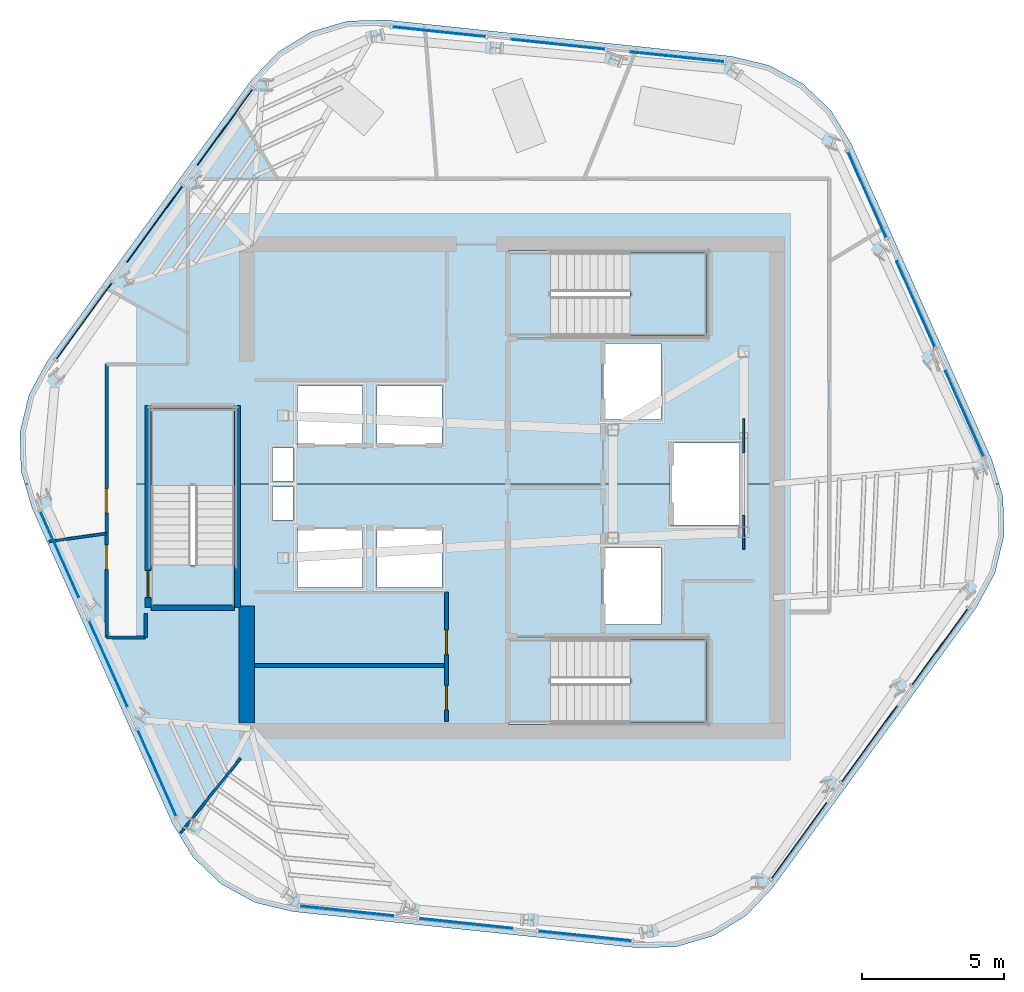
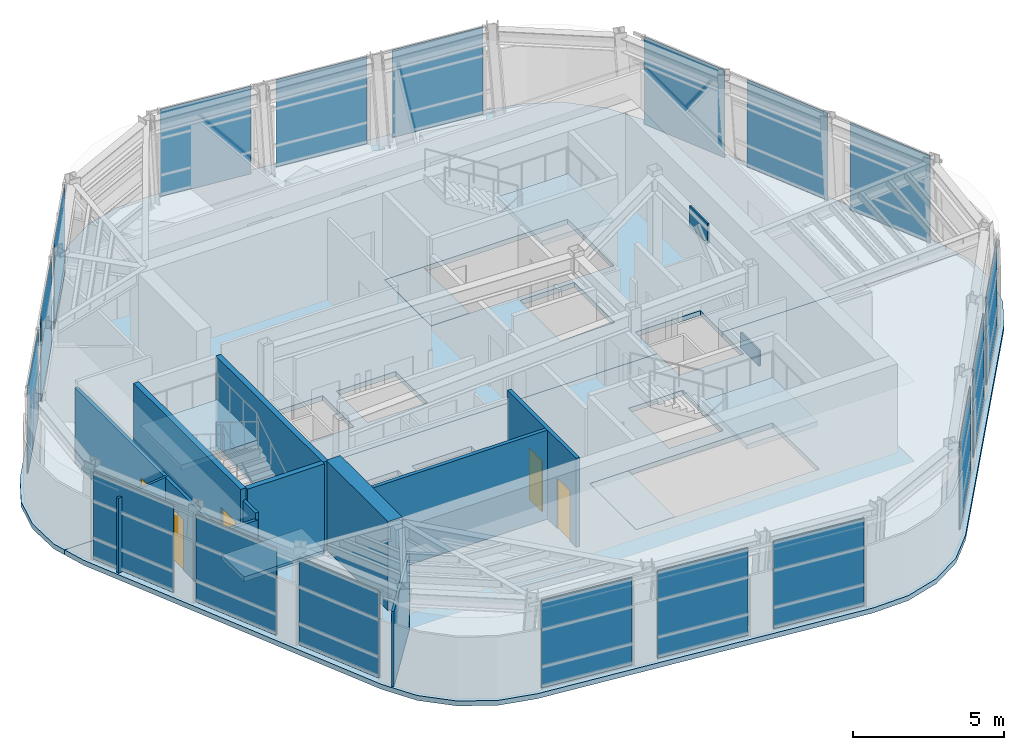
# One storey, part 5 of 12: 20 plates, 11 walls, 8 slabs, 5 doors, 5 openings, 9 elements without a shape of their own.
"""IFC4 building model written with IfcOpenShell, lengths in metres."""

from ifc_helpers import new_model, si_unit, direction, frame, frame_2d, origin, origin_2d, place, context, subcontext, project, spatial, polyline, rectangle, outline, extrude, material, layer, layer_set, type_object, element, fill, aggregate, save


model = new_model("IFC4")

# Units and contexts
model_context = context("Model", 3, precision=1e-05, world=origin(), true_north=direction((0.0, 1.0)))
body_context = subcontext(model_context, "Body", "Model", "MODEL_VIEW")
ifc_project = project(units=[si_unit("LENGTHUNIT", "METRE"), si_unit("AREAUNIT", "SQUARE_METRE"), si_unit("VOLUMEUNIT", "CUBIC_METRE"), si_unit("PLANEANGLEUNIT", "RADIAN"), si_unit("MASSUNIT", "GRAM", prefix="KILO")], contexts=[model_context])

# Site, building, storey
site_placement = place(None, origin())
site = spatial("IfcSite", under=ifc_project, at=site_placement, CompositionType="ELEMENT")
building_placement = place(site_placement, origin())
building = spatial("IfcBuilding", under=site, at=building_placement, Name="Valkerne Bourse Tower", CompositionType="ELEMENT")
storey_placement = place(building_placement, frame((0.0, 0.0, 258.39990234375)))
storey = spatial("IfcBuildingStorey", under=building, at=storey_placement, Name="L65", CompositionType="ELEMENT", Elevation=258.39990234375)

# Curtain wall, plates
ifc_material_1 = material(Name="Aluminium AA 6063-T6", Category="aluminium")
ifc_layer_1 = layer(ifc_material_1, 0.2451171875)
ifc_layer_set_1 = layer_set([ifc_layer_1], Name="Aluminium AA 6063-T6")
curtain_wall_type = type_object("IfcCurtainWallType", Name="CW-05", PredefinedType="NOTDEFINED", material=ifc_layer_set_1)
curtain_wall_1_placement = place(storey_placement, origin())
curtain_wall_1 = element("IfcCurtainWall", 1, at=curtain_wall_1_placement, inside=storey, type_object=curtain_wall_type, Name="L65 Hexagonal Stick Curtain Wall Face 1", PredefinedType="NOTDEFINED")
ifc_material_2 = material(Name="Glass IGU Low-E Double Glazed", Category="glass")
ifc_layer_2 = layer(ifc_material_2, 0.031982421875)
ifc_layer_set_2 = layer_set([ifc_layer_2], Name="Glass IGU Low-E Double Glazed")
plate_type_1 = type_object("IfcPlateType", Name="CW-PNL-IGU-32", PredefinedType="CURTAIN_PANEL", material=ifc_layer_set_2)
plate_1_placement = place(storey_placement, frame((52.61328125, 42.01318359375, 0.030029296875), z_axis=(0.0, 0.0, 1.0), x_axis=(-0.994523650821, 0.104511759904, 0.0)))
plate_1 = element("IfcPlate", 2, at=plate_1_placement, type_object=plate_type_1, Name="CW-L65-F1 Curtain Panel 00", PredefinedType="CURTAIN_PANEL", context=body_context, shape_type="SweptSolid", body=[
    extrude(rectangle(XDim=3.2919921875, YDim=0.031982421875, at=origin_2d()), origin(), (0.0, 0.0, 1.0), 3.5400390625),
])
plate_2_placement = place(storey_placement, frame((48.42431640625, 42.45361328125, 0.030029296875), z_axis=(0.0, 0.0, 1.0), x_axis=(-0.994521442263, 0.104532774186, 0.0)))
plate_2 = element("IfcPlate", 3, at=plate_2_placement, type_object=plate_type_1, Name="CW-L65-F1 Curtain Panel 01", PredefinedType="CURTAIN_PANEL", context=body_context, shape_type="SweptSolid", body=[
    extrude(rectangle(XDim=3.2919921875, YDim=0.031982421875, at=origin_2d()), origin(), (0.0, 0.0, 1.0), 3.5400390625),
])
plate_3_placement = place(storey_placement, frame((44.2353515625, 42.893798828125, 0.030029296875), z_axis=(0.0, 0.0, 1.0), x_axis=(-0.994521182832, 0.104535242377, 0.0)))
plate_3 = element("IfcPlate", 4, at=plate_3_placement, type_object=plate_type_1, Name="CW-L65-F1 Curtain Panel 02", PredefinedType="CURTAIN_PANEL", context=body_context, shape_type="SweptSolid", body=[
    extrude(rectangle(XDim=3.2919921875, YDim=0.031982421875, at=origin_2d()), origin(), (0.0, 0.0, 1.0), 3.5400390625),
])
aggregate(curtain_wall_1, [plate_1, plate_2, plate_3])

curtain_wall_2_placement = place(storey_placement, origin())
curtain_wall_2 = element("IfcCurtainWall", 5, at=curtain_wall_2_placement, inside=storey, type_object=curtain_wall_type, Name="L65 Hexagonal Stick Curtain Wall Face 2", PredefinedType="NOTDEFINED")
plate_4_placement = place(storey_placement, frame((36.70458984375, 39.541015625, 0.030029296875), z_axis=(0.0, 0.0, 1.0), x_axis=(-0.587790486046, -0.809013191805, 0.0)))
plate_4 = element("IfcPlate", 6, at=plate_4_placement, type_object=plate_type_1, Name="CW-L65-F2 Curtain Panel 00", PredefinedType="CURTAIN_PANEL", context=body_context, shape_type="SweptSolid", body=[
    extrude(rectangle(XDim=3.2919921875, YDim=0.031982421875, at=origin_2d()), origin(), (0.0, 0.0, 1.0), 3.5400390625),
])
plate_5_placement = place(storey_placement, frame((34.22900390625, 36.13330078125, 0.030029296875), z_axis=(0.0, 0.0, 1.0), x_axis=(-0.587774946897, -0.809024481583, 0.0)))
plate_5 = element("IfcPlate", 7, at=plate_5_placement, type_object=plate_type_1, Name="CW-L65-F2 Curtain Panel 01", PredefinedType="CURTAIN_PANEL", context=body_context, shape_type="SweptSolid", body=[
    extrude(rectangle(XDim=3.2919921875, YDim=0.031982421875, at=origin_2d()), origin(), (0.0, 0.0, 1.0), 3.5400390625),
])
plate_6_placement = place(storey_placement, frame((31.753173828125, 32.725830078125, 0.030029296875), z_axis=(0.0, 0.0, 1.0), x_axis=(-0.587790486046, -0.809013191805, 0.0)))
plate_6 = element("IfcPlate", 8, at=plate_6_placement, type_object=plate_type_1, Name="CW-L65-F2 Curtain Panel 02", PredefinedType="CURTAIN_PANEL", context=body_context, shape_type="SweptSolid", body=[
    extrude(rectangle(XDim=3.2919921875, YDim=0.031982421875, at=origin_2d()), origin(), (0.0, 0.0, 1.0), 3.5400390625),
])
aggregate(curtain_wall_2, [plate_4, plate_5, plate_6])

curtain_wall_3_placement = place(storey_placement, origin())
curtain_wall_3 = element("IfcCurtainWall", 9, at=curtain_wall_3_placement, inside=storey, type_object=curtain_wall_type, Name="L65 Hexagonal Stick Curtain Wall Face 3", PredefinedType="NOTDEFINED")
plate_7_placement = place(storey_placement, frame((30.8916015625, 24.527587890625, 0.030029296875), z_axis=(0.0, 0.0, 1.0), x_axis=(0.406737542976, -0.913545056981, 0.0)))
plate_7 = element("IfcPlate", 10, at=plate_7_placement, type_object=plate_type_1, Name="CW-L65-F3 Curtain Panel 00", PredefinedType="CURTAIN_PANEL", context=body_context, shape_type="SweptSolid", body=[
    extrude(rectangle(XDim=3.2919921875, YDim=0.031982421875, at=origin_2d()), origin(), (0.0, 0.0, 1.0), 3.5400390625),
])
plate_8_placement = place(storey_placement, frame((32.6044921875, 20.6796875, 0.030029296875), z_axis=(0.0, 0.0, 1.0), x_axis=(0.406726550532, -0.913549951066, 0.0)))
plate_8 = element("IfcPlate", 11, at=plate_8_placement, type_object=plate_type_1, Name="CW-L65-F3 Curtain Panel 01", PredefinedType="CURTAIN_PANEL", context=body_context, shape_type="SweptSolid", body=[
    extrude(rectangle(XDim=3.2919921875, YDim=0.031982421875, at=origin_2d()), origin(), (0.0, 0.0, 1.0), 3.5400390625),
])
plate_9_placement = place(storey_placement, frame((34.31787109375, 16.831787109375, 0.030029296875), z_axis=(0.0, 0.0, 1.0), x_axis=(0.406737542976, -0.913545056981, 0.0)))
plate_9 = element("IfcPlate", 12, at=plate_9_placement, type_object=plate_type_1, Name="CW-L65-F3 Curtain Panel 02", PredefinedType="CURTAIN_PANEL", context=body_context, shape_type="SweptSolid", body=[
    extrude(rectangle(XDim=3.2919921875, YDim=0.031982421875, at=origin_2d()), origin(), (0.0, 0.0, 1.0), 3.5400390625),
])
aggregate(curtain_wall_3, [plate_7, plate_8, plate_9])

curtain_wall_4_placement = place(storey_placement, origin())
curtain_wall_4 = element("IfcCurtainWall", 13, at=curtain_wall_4_placement, inside=storey, type_object=curtain_wall_type, Name="L65 Hexagonal Stick Curtain Wall Face 4", PredefinedType="NOTDEFINED")
plate_10_placement = place(storey_placement, frame((40.98681640625, 11.98681640625, 0.030029296875), z_axis=(0.0, 0.0, 1.0), x_axis=(0.994523650821, -0.104511759904, 0.0)))
plate_10 = element("IfcPlate", 14, at=plate_10_placement, type_object=plate_type_1, Name="CW-L65-F4 Curtain Panel 00", PredefinedType="CURTAIN_PANEL", context=body_context, shape_type="SweptSolid", body=[
    extrude(rectangle(XDim=3.2919921875, YDim=0.031982421875, at=origin_2d()), origin(), (0.0, 0.0, 1.0), 3.5400390625),
])
plate_11_placement = place(storey_placement, frame((45.17578125, 11.54638671875, 0.030029296875), z_axis=(0.0, 0.0, 1.0), x_axis=(0.994521442263, -0.104532774186, 0.0)))
plate_11 = element("IfcPlate", 15, at=plate_11_placement, type_object=plate_type_1, Name="CW-L65-F4 Curtain Panel 01", PredefinedType="CURTAIN_PANEL", context=body_context, shape_type="SweptSolid", body=[
    extrude(rectangle(XDim=3.2919921875, YDim=0.031982421875, at=origin_2d()), origin(), (0.0, 0.0, 1.0), 3.5400390625),
])
plate_12_placement = place(storey_placement, frame((49.36474609375, 11.106201171875, 0.030029296875), z_axis=(0.0, 0.0, 1.0), x_axis=(0.994521182832, -0.104535242377, 0.0)))
plate_12 = element("IfcPlate", 16, at=plate_12_placement, type_object=plate_type_1, Name="CW-L65-F4 Curtain Panel 02", PredefinedType="CURTAIN_PANEL", context=body_context, shape_type="SweptSolid", body=[
    extrude(rectangle(XDim=3.2919921875, YDim=0.031982421875, at=origin_2d()), origin(), (0.0, 0.0, 1.0), 3.5400390625),
])
aggregate(curtain_wall_4, [plate_10, plate_11, plate_12])

curtain_wall_5_placement = place(storey_placement, origin())
curtain_wall_5 = element("IfcCurtainWall", 17, at=curtain_wall_5_placement, inside=storey, type_object=curtain_wall_type, Name="L65 Hexagonal Stick Curtain Wall Face 5", PredefinedType="NOTDEFINED")
plate_13_placement = place(storey_placement, frame((56.8955078125, 14.458984375, 0.030029296875), z_axis=(0.0, 0.0, 1.0), x_axis=(0.587790486046, 0.809013191805, 0.0)))
plate_13 = element("IfcPlate", 18, at=plate_13_placement, type_object=plate_type_1, Name="CW-L65-F5 Curtain Panel 00", PredefinedType="CURTAIN_PANEL", context=body_context, shape_type="SweptSolid", body=[
    extrude(rectangle(XDim=3.2919921875, YDim=0.031982421875, at=origin_2d()), origin(), (0.0, 0.0, 1.0), 3.5400390625),
])
plate_14_placement = place(storey_placement, frame((59.37109375, 17.86669921875, 0.030029296875), z_axis=(0.0, 0.0, 1.0), x_axis=(0.587774946897, 0.809024481583, 0.0)))
plate_14 = element("IfcPlate", 19, at=plate_14_placement, type_object=plate_type_1, Name="CW-L65-F5 Curtain Panel 01", PredefinedType="CURTAIN_PANEL", context=body_context, shape_type="SweptSolid", body=[
    extrude(rectangle(XDim=3.2919921875, YDim=0.031982421875, at=origin_2d()), origin(), (0.0, 0.0, 1.0), 3.5400390625),
])
plate_15_placement = place(storey_placement, frame((61.846923828125, 21.274169921875, 0.030029296875), z_axis=(0.0, 0.0, 1.0), x_axis=(0.587790486046, 0.809013191805, 0.0)))
plate_15 = element("IfcPlate", 20, at=plate_15_placement, type_object=plate_type_1, Name="CW-L65-F5 Curtain Panel 02", PredefinedType="CURTAIN_PANEL", context=body_context, shape_type="SweptSolid", body=[
    extrude(rectangle(XDim=3.2919921875, YDim=0.031982421875, at=origin_2d()), origin(), (0.0, 0.0, 1.0), 3.5400390625),
])
aggregate(curtain_wall_5, [plate_13, plate_14, plate_15])

curtain_wall_6_placement = place(storey_placement, origin())
curtain_wall_6 = element("IfcCurtainWall", 21, at=curtain_wall_6_placement, inside=storey, type_object=curtain_wall_type, Name="L65 Hexagonal Stick Curtain Wall Face 6", PredefinedType="NOTDEFINED")
plate_16_placement = place(storey_placement, frame((62.70849609375, 29.472412109375, 0.030029296875), z_axis=(0.0, 0.0, 1.0), x_axis=(-0.406737542976, 0.913545056981, 0.0)))
plate_16 = element("IfcPlate", 22, at=plate_16_placement, type_object=plate_type_1, Name="CW-L65-F6 Curtain Panel 00", PredefinedType="CURTAIN_PANEL", context=body_context, shape_type="SweptSolid", body=[
    extrude(rectangle(XDim=3.2919921875, YDim=0.031982421875, at=origin_2d()), origin(), (0.0, 0.0, 1.0), 3.5400390625),
])
plate_17_placement = place(storey_placement, frame((60.995361328125, 33.3203125, 0.030029296875), z_axis=(0.0, 0.0, 1.0), x_axis=(-0.406726550532, 0.913549951066, 0.0)))
plate_17 = element("IfcPlate", 23, at=plate_17_placement, type_object=plate_type_1, Name="CW-L65-F6 Curtain Panel 01", PredefinedType="CURTAIN_PANEL", context=body_context, shape_type="SweptSolid", body=[
    extrude(rectangle(XDim=3.2919921875, YDim=0.031982421875, at=origin_2d()), origin(), (0.0, 0.0, 1.0), 3.5400390625),
])
plate_18_placement = place(storey_placement, frame((59.2822265625, 37.168212890625, 0.030029296875), z_axis=(0.0, 0.0, 1.0), x_axis=(-0.406737542976, 0.913545056981, 0.0)))
plate_18 = element("IfcPlate", 24, at=plate_18_placement, type_object=plate_type_1, Name="CW-L65-F6 Curtain Panel 02", PredefinedType="CURTAIN_PANEL", context=body_context, shape_type="SweptSolid", body=[
    extrude(rectangle(XDim=3.2919921875, YDim=0.031982421875, at=origin_2d()), origin(), (0.0, 0.0, 1.0), 3.5400390625),
])
aggregate(curtain_wall_6, [plate_16, plate_17, plate_18])

# Plates
ifc_material_3 = material(Name="Steel ASTM A572 Grade 50", Category="steel")
ifc_layer_3 = layer(ifc_material_3, 0.06005859375)
ifc_layer_set_3 = layer_set([ifc_layer_3], Name="Steel ASTM A572 Grade 50")
plate_type_2 = type_object("IfcPlateType", Name="PLT-GUS-60", PredefinedType="SHEET", material=ifc_layer_set_3)
for number, where, z_axis, x_axis, name in (
    (25, (54.949951171875, 25.300048828125, -0.1796875), (0.0, 0.0, 1.0), (0.0, 1.0, 0.0), "L65 Brace Node Gusset Plate PLT-GUS-END-L65-446"),
    (26, (54.949951171875, 28.699951171875, 2.89404296875), (0.0, 0.0, 1.0), (0.0, 1.0, 0.0), "L65 Brace Node Gusset Plate PLT-GUS-END-L65-447"),
):
    element("IfcPlate", number, at=place(storey_placement, frame(where, z_axis=z_axis, x_axis=x_axis)), inside=storey, type_object=plate_type_2, Name=name, PredefinedType="SHEET", context=body_context, shape_type="SweptSolid", body=[
        extrude(rectangle(XDim=1.199951171875, YDim=0.06005859375, at=origin_2d()), origin(), (0.0, 0.0, 1.0), 0.800048828125),
    ])

# Slabs
ifc_material_4 = material(Name="Concrete C40/50", Category="concrete")
ifc_layer_4 = layer(ifc_material_4, 0.25)
ifc_layer_set_4 = layer_set([ifc_layer_4], Name="Concrete C40/50")
slab_type_1 = type_object("IfcSlabType", Name="SLB-RMP-LND-250", PredefinedType="LANDING", material=ifc_layer_set_4)
slab_1_placement = place(storey_placement, frame((0.0, 0.0, -0.199951171875)))
element("IfcSlab", 27, at=slab_1_placement, inside=storey, type_object=slab_type_1, Name="L65 ST-1 Floor Landing Slab", PredefinedType="LANDING", context=body_context, shape_type="SweptSolid", body=[
    extrude(outline(polyline([(46.669921875, 18.5400390625), (48.14990234375, 18.5400390625), (48.14990234375, 21.610107421875), (46.669921875, 21.610107421875), (46.669921875, 18.5400390625)])), origin(), (0.0, 0.0, 1.0), 0.199951171875),
])
slab_2_placement = place(storey_placement, frame((0.0, 0.0, -0.199951171875)))
element("IfcSlab", 28, at=slab_2_placement, inside=storey, type_object=slab_type_1, Name="L65 ST-2 Floor Landing Slab", PredefinedType="LANDING", context=body_context, shape_type="SweptSolid", body=[
    extrude(outline(polyline([(46.669921875, 32.139892578125), (48.14990234375, 32.139892578125), (48.14990234375, 35.2099609375), (46.669921875, 35.2099609375), (46.669921875, 32.139892578125)])), origin(), (0.0, 0.0, 1.0), 0.199951171875),
])
slab_3_placement = place(storey_placement, frame((0.0, 0.0, -0.199951171875)))
element("IfcSlab", 29, at=slab_3_placement, inside=storey, type_object=slab_type_1, Name="L65 ST-3 Floor Landing Slab", PredefinedType="LANDING", context=body_context, shape_type="SweptSolid", body=[
    extrude(outline(polyline([(37.110107421875, 22.669921875), (37.110107421875, 24.14990234375), (34.0400390625, 24.14990234375), (34.0400390625, 22.669921875), (37.110107421875, 22.669921875)])), origin(), (0.0, 0.0, 1.0), 0.199951171875),
])

# Stair, slab
stair_type = type_object("IfcStairType", Name="ST-CORE-1400", PredefinedType="HALF_TURN_STAIR", material=ifc_material_4)
stair_1_placement = place(storey_placement, origin())
stair_1 = element("IfcStair", 30, at=stair_1_placement, inside=storey, type_object=stair_type, Name="L65 ST-1", PredefinedType="HALF_TURN_STAIR")
ifc_layer_5 = layer(ifc_material_4, 0.179931640625)
ifc_layer_set_5 = layer_set([ifc_layer_5], Name="Concrete C40/50")
slab_type_2 = type_object("IfcSlabType", Name="SLB-ST-LND-180", PredefinedType="LANDING", material=ifc_layer_set_5)
slab_4_placement = place(storey_placement, frame((0.0, 0.0, 1.7001953125)))
slab_4 = element("IfcSlab", 31, at=slab_4_placement, type_object=slab_type_2, Name="ST-1 landing 1", PredefinedType="LANDING", context=body_context, shape_type="SweptSolid", body=[
    extrude(outline(polyline([(50.949951171875, 18.60009765625), (53.64990234375, 18.60009765625), (53.64990234375, 21.550048828125), (50.949951171875, 21.550048828125), (50.949951171875, 18.60009765625)])), origin(), (0.0, 0.0, 1.0), 0.199951171875),
])
aggregate(stair_1, [slab_4])

stair_2_placement = place(storey_placement, origin())
stair_2 = element("IfcStair", 32, at=stair_2_placement, inside=storey, type_object=stair_type, Name="L65 ST-2", PredefinedType="HALF_TURN_STAIR")
slab_5_placement = place(storey_placement, frame((0.0, 0.0, 1.7001953125)))
slab_5 = element("IfcSlab", 33, at=slab_5_placement, type_object=slab_type_2, Name="ST-2 landing 1", PredefinedType="LANDING", context=body_context, shape_type="SweptSolid", body=[
    extrude(outline(polyline([(50.949951171875, 32.199951171875), (53.64990234375, 32.199951171875), (53.64990234375, 35.14990234375), (50.949951171875, 35.14990234375), (50.949951171875, 32.199951171875)])), origin(), (0.0, 0.0, 1.0), 0.199951171875),
])
aggregate(stair_2, [slab_5])

stair_3_placement = place(storey_placement, origin())
stair_3 = element("IfcStair", 34, at=stair_3_placement, inside=storey, type_object=stair_type, Name="L65 ST-3", PredefinedType="HALF_TURN_STAIR")
slab_6_placement = place(storey_placement, frame((0.0, 0.0, 1.7001953125)))
slab_6 = element("IfcSlab", 35, at=slab_6_placement, type_object=slab_type_2, Name="ST-3 landing 1", PredefinedType="LANDING", context=body_context, shape_type="SweptSolid", body=[
    extrude(outline(polyline([(37.050048828125, 26.949951171875), (37.050048828125, 29.64990234375), (34.10009765625, 29.64990234375), (34.10009765625, 26.949951171875), (37.050048828125, 26.949951171875)])), origin(), (0.0, 0.0, 1.0), 0.199951171875),
])
aggregate(stair_3, [slab_6])

# Slabs
ifc_layer_6 = layer(ifc_material_4, 0.199951171875)
ifc_layer_set_6 = layer_set([ifc_layer_6], Name="Concrete C40/50")
slab_type_3 = type_object("IfcSlabType", Name="SLB-TOW-200", PredefinedType="FLOOR", material=ifc_layer_set_6)
slab_7_placement = place(storey_placement, frame((0.0, 0.0, -0.199951171875)))
element("IfcSlab", 36, at=slab_7_placement, inside=storey, type_object=slab_type_3, Name="L65 Hexagonal Composite Floor Slab S", PredefinedType="FLOOR", context=body_context, shape_type="SweptSolid", body=[
    extrude(outline(polyline([(64.064697265625, 26.538818359375), (64.100341796875, 25.181640625), (63.783447265625, 23.86181640625), (63.135498046875, 22.668701171875), (55.96728515625, 12.80224609375), (55.03271484375, 11.817626953125), (53.87548828125, 11.1083984375), (52.57373046875, 10.722900390625), (51.216796875, 10.687255859375), (39.088134765625, 11.962158203125), (37.76806640625, 12.279052734375), (36.5751953125, 12.9267578125), (35.590576171875, 13.861083984375), (34.881103515625, 15.0185546875), (29.9208984375, 26.159912109375), (29.671875, 27.0), (34.034912109375, 27.0), (34.034912109375, 22.6650390625), (37.114990234375, 22.6650390625), (37.114990234375, 27.0), (52.360107421875, 27.0), (52.360107421875, 25.56005859375), (54.840087890625, 25.56005859375), (54.840087890625, 27.0), (63.927978515625, 27.0), (64.064697265625, 26.538818359375)]), holes=[polyline([(39.260009765625, 25.43994140625), (39.260009765625, 23.360107421875), (41.5400390625, 23.360107421875), (41.5400390625, 25.43994140625), (39.260009765625, 25.43994140625)]), polyline([(44.340087890625, 25.43994140625), (42.06005859375, 25.43994140625), (42.06005859375, 23.360107421875), (44.340087890625, 23.360107421875), (44.340087890625, 25.43994140625)]), polyline([(38.3798828125, 26.89990234375), (38.3798828125, 25.72998046875), (39.10009765625, 25.72998046875), (39.10009765625, 26.89990234375), (38.3798828125, 26.89990234375)]), polyline([(46.6650390625, 21.614990234375), (46.6650390625, 18.534912109375), (53.675048828125, 18.534912109375), (53.675048828125, 21.614990234375), (46.6650390625, 21.614990234375)]), polyline([(52.0400390625, 24.739990234375), (49.9599609375, 24.739990234375), (49.9599609375, 22.06005859375), (52.0400390625, 22.06005859375), (52.0400390625, 24.739990234375)])]), origin(), (0.0, 0.0, 1.0), 0.199951171875),
])
slab_8_placement = place(storey_placement, frame((0.0, 0.0, -0.199951171875)))
element("IfcSlab", 37, at=slab_8_placement, inside=storey, type_object=slab_type_3, Name="L65 Hexagonal Composite Floor Slab N", PredefinedType="FLOOR", context=body_context, shape_type="SweptSolid", body=[
    extrude(outline(polyline([(63.927978515625, 27.0), (54.840087890625, 27.0), (54.840087890625, 28.43994140625), (52.360107421875, 28.43994140625), (52.360107421875, 27.0), (37.114990234375, 27.0), (37.114990234375, 29.675048828125), (34.034912109375, 29.675048828125), (34.034912109375, 27.0), (29.671875, 27.0), (29.535400390625, 27.461181640625), (29.499755859375, 28.818359375), (29.816650390625, 30.13818359375), (30.46435546875, 31.331298828125), (37.6328125, 41.19775390625), (38.567138671875, 42.182373046875), (39.724609375, 42.8916015625), (41.026123046875, 43.277099609375), (42.38330078125, 43.312744140625), (54.511962890625, 42.037841796875), (55.831787109375, 41.720947265625), (57.02490234375, 41.0732421875), (58.009521484375, 40.138916015625), (58.71875, 38.9814453125), (63.67919921875, 27.840087890625), (63.927978515625, 27.0)]), holes=[polyline([(39.10009765625, 28.27001953125), (38.3798828125, 28.27001953125), (38.3798828125, 27.10009765625), (39.10009765625, 27.10009765625), (39.10009765625, 28.27001953125)]), polyline([(41.5400390625, 30.43994140625), (39.260009765625, 30.43994140625), (39.260009765625, 28.360107421875), (41.5400390625, 28.360107421875), (41.5400390625, 30.43994140625)]), polyline([(42.06005859375, 30.43994140625), (42.06005859375, 28.360107421875), (44.340087890625, 28.360107421875), (44.340087890625, 30.43994140625), (42.06005859375, 30.43994140625)]), polyline([(52.0400390625, 31.93994140625), (49.9599609375, 31.93994140625), (49.9599609375, 29.260009765625), (52.0400390625, 29.260009765625), (52.0400390625, 31.93994140625)]), polyline([(53.675048828125, 35.215087890625), (46.6650390625, 35.215087890625), (46.6650390625, 32.135009765625), (53.675048828125, 32.135009765625), (53.675048828125, 35.215087890625)])]), origin(), (0.0, 0.0, 1.0), 0.199951171875),
])

# Walls
ifc_material_5 = material(Name="Concrete C55/67", Category="concrete")
ifc_layer_7 = layer(ifc_material_5, 0.550048828125)
ifc_layer_set_7 = layer_set([ifc_layer_7], Name="Concrete C55/67")
wall_type_1 = type_object("IfcWallType", Name="W-CORE-550", PredefinedType="SHEAR", material=ifc_layer_set_7)
wall_1_placement = place(storey_placement, frame((37.47509765625, 18.60009765625, 0.0), z_axis=(0.0, 0.0, 1.0), x_axis=(0.0, 1.0, 0.0)))
element("IfcWall", 38, at=wall_1_placement, inside=storey, type_object=wall_type_1, Name="L65 Core Shear Wall WEST-S", PredefinedType="SHEAR", context=body_context, shape_type="SweptSolid", body=[
    extrude(rectangle(XDim=4.099853515625, YDim=0.550048828125, at=frame_2d((2.0498046875, 0.0))), origin(), (0.0, 0.0, 1.0), 3.60009765625),
])
ifc_material_6 = material(Name="Gypsum Board Steel-Stud Partition", Category="steel")
ifc_layer_8 = layer(ifc_material_6, 0.117919921875)
ifc_layer_set_8 = layer_set([ifc_layer_8], Name="Gypsum Board Steel-Stud Partition")
wall_type_2 = type_object("IfcWallType", Name="W-CORR-140", PredefinedType="PARTITIONING", material=ifc_layer_set_8)
wall_2_placement = place(storey_placement, frame((33.91796875, 22.43994140625, 0.0), z_axis=(0.0, 0.0, 1.0), x_axis=(0.002325575107, -0.999997295847, 0.0)))
element("IfcWall", 39, at=wall_2_placement, inside=storey, type_object=wall_type_2, Name="L65 Corridor Enclosure Wall", PredefinedType="PARTITIONING", context=body_context, shape_type="SweptSolid", body=[
    extrude(rectangle(XDim=0.83984375, YDim=0.117919921875, at=frame_2d((0.419921875, 0.0))), origin(), (0.0, 0.0, 1.0), 3.300048828125),
])
wall_3_placement = place(storey_placement, frame((33.919921875, 21.60009765625, 0.0), z_axis=(0.0, 0.0, 1.0), x_axis=(-1.0, 0.0, 0.0)))
element("IfcWall", 40, at=wall_3_placement, inside=storey, type_object=wall_type_2, Name="L65 Corridor Enclosure Wall", PredefinedType="PARTITIONING", context=body_context, shape_type="SweptSolid", body=[
    extrude(rectangle(XDim=1.369873046875, YDim=0.117919921875, at=frame_2d((0.68505859375, 0.0))), origin(), (0.0, 0.0, 1.0), 3.036376953125),
])

# Wall, openings, doors
wall_4_placement = place(storey_placement, frame((32.550048828125, 21.60009765625, 0.0), z_axis=(0.0, 0.0, 1.0), x_axis=(0.0, 1.0, 0.0)))
wall_4 = element("IfcWall", 41, at=wall_4_placement, inside=storey, type_object=wall_type_2, Name="L65 Corridor Enclosure Wall", PredefinedType="PARTITIONING", context=body_context, shape_type="SweptSolid", body=[
    extrude(rectangle(XDim=9.599853515625, YDim=0.117919921875, at=frame_2d((4.7998046875, 0.0))), origin(), (0.0, 0.0, 1.0), 3.036376953125),
])
opening_1_placement = place(wall_4_placement, frame((4.3701171875, 0.0, 0.0)))
opening_1 = element("IfcOpeningElement", 42, at=opening_1_placement, cuts=wall_4, Name="Opening D-WC-900", PredefinedType="OPENING", context=body_context, shape_type="SweptSolid", body=[
    extrude(rectangle(XDim=0.860107421875, YDim=2.050048828125, at=frame_2d((0.43017578125, 1.02490234375))), frame((0.0, 0.06884765625, 0.0), z_axis=(0.0, -1.0, 0.0), x_axis=(1.0, 0.0, 0.0)), (0.0, 0.0, 1.0), 0.137939453125),
])
opening_2_placement = place(wall_4_placement, frame((2.389892578125, 0.0, 0.0)))
opening_2 = element("IfcOpeningElement", 43, at=opening_2_placement, cuts=wall_4, Name="Opening D-WC-900", PredefinedType="OPENING", context=body_context, shape_type="SweptSolid", body=[
    extrude(rectangle(XDim=0.860107421875, YDim=2.050048828125, at=frame_2d((0.43017578125, 1.02490234375))), frame((0.0, 0.06884765625, 0.0), z_axis=(0.0, -1.0, 0.0), x_axis=(1.0, 0.0, 0.0)), (0.0, 0.0, 1.0), 0.137939453125),
])
ifc_material_7 = material(Name="Architectural White Oak Timber", Category="wood")
door_type_1 = type_object("IfcDoorType", Name="DR-WC-900", OperationType="NOTDEFINED", PredefinedType="DOOR", material=ifc_material_7)
door_1_placement = place(opening_1_placement, origin())
door_1 = element("IfcDoor", 44, at=door_1_placement, inside=storey, type_object=door_type_1, Name="L65 L65 Men Bathroom WC 1 Door", OperationType="SINGLE_SWING_LEFT", OverallHeight=2.050048828125, OverallWidth=0.860107421875, PredefinedType="DOOR", context=body_context, shape_type="SweptSolid", body=[
    extrude(rectangle(XDim=0.860107421875, YDim=2.050048828125, at=frame_2d((0.43017578125, 1.02490234375))), frame((0.0, 0.02490234375, 0.0), z_axis=(0.0, -1.0, 0.0), x_axis=(1.0, 0.0, 0.0)), (0.0, 0.0, 1.0), 0.050048828125),
])
fill(opening_1, door_1)
door_2_placement = place(opening_2_placement, origin())
door_2 = element("IfcDoor", 45, at=door_2_placement, inside=storey, type_object=door_type_1, Name="L65 L65 Women Restroom & Shower WC 2 Door", OperationType="SINGLE_SWING_RIGHT", OverallHeight=2.050048828125, OverallWidth=0.860107421875, PredefinedType="DOOR", context=body_context, shape_type="SweptSolid", body=[
    extrude(rectangle(XDim=0.860107421875, YDim=2.050048828125, at=frame_2d((0.43017578125, 1.02490234375))), frame((0.0, 0.02490234375, 0.0), z_axis=(0.0, -1.0, 0.0), x_axis=(1.0, 0.0, 0.0)), (0.0, 0.0, 1.0), 0.050048828125),
])
fill(opening_2, door_2)

# Walls
ifc_layer_9 = layer(ifc_material_6, 0.092041015625)
ifc_layer_set_9 = layer_set([ifc_layer_9], Name="Gypsum Board Steel-Stud Partition")
wall_type_3 = type_object("IfcWallType", Name="W-PART-115", PredefinedType="PARTITIONING", material=ifc_layer_set_9)
wall_5_placement = place(storey_placement, frame((32.544921875, 25.256591796875, 0.0), z_axis=(0.0, 0.0, 1.0), x_axis=(-0.990343061744, -0.138638450858, 0.0)))
element("IfcWall", 46, at=wall_5_placement, inside=storey, type_object=wall_type_3, Name="L65 Suite Partition P05", PredefinedType="PARTITIONING", context=body_context, shape_type="SweptSolid", body=[
    extrude(rectangle(XDim=2.039306640625, YDim=0.092041015625, at=frame_2d((1.01953125, 0.0))), origin(), (0.0, 0.0, 1.0), 3.036376953125),
])
wall_6_placement = place(storey_placement, frame((37.25048828125, 17.35009765625, 0.0), z_axis=(0.0, 0.0, 1.0), x_axis=(-0.626073900141, -0.779763728037, 0.0)))
element("IfcWall", 47, at=wall_6_placement, inside=storey, type_object=wall_type_3, Name="L65 Suite Partition P06", PredefinedType="PARTITIONING", context=body_context, shape_type="SweptSolid", body=[
    extrude(rectangle(XDim=3.3662109375, YDim=0.092041015625, at=frame_2d((1.68310546875, 0.0))), origin(), (0.0, 0.0, 1.0), 3.036376953125),
])

# Wall, opening, door
ifc_layer_10 = layer(ifc_material_4, 0.199951171875)
ifc_layer_set_10 = layer_set([ifc_layer_10], Name="Concrete C40/50")
wall_type_4 = type_object("IfcWallType", Name="W-SHF-200", PredefinedType="SHEAR", material=ifc_layer_set_10)
wall_7_placement = place(storey_placement, frame((34.0, 22.64990234375, 0.0), z_axis=(0.0, 0.0, 1.0), x_axis=(0.0, 1.0, 0.0)))
wall_7 = element("IfcWall", 48, at=wall_7_placement, inside=storey, type_object=wall_type_4, Name="L65 Exit Stair ST-3 Structural Shaft Wall West", PredefinedType="SHEAR", context=body_context, shape_type="SweptSolid", body=[
    extrude(rectangle(XDim=7.10009765625, YDim=0.199951171875, at=frame_2d((3.550048828125, 0.0))), origin(), (0.0, 0.0, 1.0), 3.60009765625),
])
opening_3_placement = place(wall_7_placement, frame((0.35009765625, 0.0, 0.0)))
opening_3 = element("IfcOpeningElement", 49, at=opening_3_placement, cuts=wall_7, Name="Opening D-ST-950", PredefinedType="OPENING", context=body_context, shape_type="SweptSolid", body=[
    extrude(rectangle(XDim=0.949951171875, YDim=2.10009765625, at=frame_2d((0.47509765625, 1.050048828125))), frame((0.0, 0.10986328125, 0.0), z_axis=(0.0, -1.0, 0.0), x_axis=(1.0, 0.0, 0.0)), (0.0, 0.0, 1.0), 0.219970703125),
])
ifc_material_8 = material(Name="Galvanised Painted Steel", Category="steel")
door_type_2 = type_object("IfcDoorType", Name="DR-STAIR-950", OperationType="NOTDEFINED", PredefinedType="DOOR", material=ifc_material_8)
door_3_placement = place(opening_3_placement, origin())
door_3 = element("IfcDoor", 50, at=door_3_placement, inside=storey, type_object=door_type_2, Name="L65 Exit Stair ST-3 Door", OperationType="SINGLE_SWING_RIGHT", OverallHeight=2.10009765625, OverallWidth=0.949951171875, PredefinedType="DOOR", context=body_context, shape_type="SweptSolid", body=[
    extrude(rectangle(XDim=0.949951171875, YDim=2.10009765625, at=frame_2d((0.47509765625, 1.050048828125))), frame((0.0, 0.02490234375, 0.0), z_axis=(0.0, -1.0, 0.0), x_axis=(1.0, 0.0, 0.0)), (0.0, 0.0, 1.0), 0.050048828125),
])
fill(opening_3, door_3)

# Walls
wall_8_placement = place(storey_placement, frame((34.10009765625, 22.64990234375, 0.0), z_axis=(0.0, 0.0, 1.0), x_axis=(1.0, 0.0, 0.0)))
element("IfcWall", 51, at=wall_8_placement, inside=storey, type_object=wall_type_4, Name="L65 Exit Stair ST-3 Structural Shaft Wall South", PredefinedType="SHEAR", context=body_context, shape_type="SweptSolid", body=[
    extrude(rectangle(XDim=2.949951171875, YDim=0.199951171875, at=frame_2d((1.47509765625, 0.0))), origin(), (0.0, 0.0, 1.0), 3.60009765625),
])
wall_9_placement = place(storey_placement, frame((37.14990234375, 22.64990234375, 0.0), z_axis=(0.0, 0.0, 1.0), x_axis=(0.0, 1.0, 0.0)))
element("IfcWall", 52, at=wall_9_placement, inside=storey, type_object=wall_type_4, Name="L65 Exit Stair ST-3 Structural Shaft Wall East", PredefinedType="SHEAR", context=body_context, shape_type="SweptSolid", body=[
    extrude(rectangle(XDim=7.10009765625, YDim=0.199951171875, at=frame_2d((3.550048828125, 0.0))), origin(), (0.0, 0.0, 1.0), 3.60009765625),
])

# Wall, openings, doors
ifc_material_9 = material(Name="Moisture-Resistant Gypsum Partition", Category="gypsum")
ifc_layer_11 = layer(ifc_material_9, 0.139892578125)
ifc_layer_set_11 = layer_set([ifc_layer_11], Name="Moisture-Resistant Gypsum Partition")
wall_type_5 = type_object("IfcWallType", Name="W-WET-140", PredefinedType="PARTITIONING", material=ifc_layer_set_11)
wall_10_placement = place(storey_placement, frame((44.5, 18.64990234375, 0.0), z_axis=(0.0, 0.0, 1.0), x_axis=(0.0, 1.0, 0.0)))
wall_10 = element("IfcWall", 53, at=wall_10_placement, inside=storey, type_object=wall_type_5, Name="L65 LV7 Low-Bank East Wall", PredefinedType="PARTITIONING", context=body_context, shape_type="SweptSolid", body=[
    extrude(rectangle(XDim=4.550048828125, YDim=0.139892578125, at=frame_2d((2.27490234375, 0.0))), origin(), (0.0, 0.0, 1.0), 3.60009765625),
])
opening_4_placement = place(wall_10_placement, frame((0.39990234375, 0.0, 0.0)))
opening_4 = element("IfcOpeningElement", 54, at=opening_4_placement, cuts=wall_10, Name="Opening D-WC-900", PredefinedType="OPENING", context=body_context, shape_type="SweptSolid", body=[
    extrude(rectangle(XDim=0.860107421875, YDim=2.050048828125, at=frame_2d((0.43017578125, 1.02490234375))), frame((0.0, 0.079833984375, 0.0), z_axis=(0.0, -1.0, 0.0), x_axis=(1.0, 0.0, 0.0)), (0.0, 0.0, 1.0), 0.159912109375),
])
opening_5_placement = place(wall_10_placement, frame((2.35009765625, 0.0, 0.0)))
opening_5 = element("IfcOpeningElement", 55, at=opening_5_placement, cuts=wall_10, Name="Opening D-WC-900", PredefinedType="OPENING", context=body_context, shape_type="SweptSolid", body=[
    extrude(rectangle(XDim=0.860107421875, YDim=2.050048828125, at=frame_2d((0.43017578125, 1.02490234375))), frame((0.0, 0.079833984375, 0.0), z_axis=(0.0, -1.0, 0.0), x_axis=(1.0, 0.0, 0.0)), (0.0, 0.0, 1.0), 0.159912109375),
])
door_4_placement = place(opening_4_placement, origin())
door_4 = element("IfcDoor", 56, at=door_4_placement, inside=storey, type_object=door_type_1, Name="L65 Beverage Kitchen Door", OperationType="SINGLE_SWING_LEFT", OverallHeight=2.050048828125, OverallWidth=0.860107421875, PredefinedType="DOOR", context=body_context, shape_type="SweptSolid", body=[
    extrude(rectangle(XDim=0.860107421875, YDim=2.050048828125, at=frame_2d((0.43017578125, 1.02490234375))), frame((0.0, 0.02490234375, 0.0), z_axis=(0.0, -1.0, 0.0), x_axis=(1.0, 0.0, 0.0)), (0.0, 0.0, 1.0), 0.050048828125),
])
fill(opening_4, door_4)
door_5_placement = place(opening_5_placement, origin())
door_5 = element("IfcDoor", 57, at=door_5_placement, inside=storey, type_object=door_type_1, Name="L65 Compliance Briefing Office Door", OperationType="SINGLE_SWING_LEFT", OverallHeight=2.050048828125, OverallWidth=0.860107421875, PredefinedType="DOOR", context=body_context, shape_type="SweptSolid", body=[
    extrude(rectangle(XDim=0.860107421875, YDim=2.050048828125, at=frame_2d((0.43017578125, 1.02490234375))), frame((0.0, 0.02490234375, 0.0), z_axis=(0.0, -1.0, 0.0), x_axis=(1.0, 0.0, 0.0)), (0.0, 0.0, 1.0), 0.050048828125),
])
fill(opening_5, door_5)

# Wall
wall_11_placement = place(storey_placement, frame((37.75, 20.610107421875, 0.0), z_axis=(0.0, 0.0, 1.0), x_axis=(1.0, 0.0, 0.0)))
element("IfcWall", 58, at=wall_11_placement, inside=storey, type_object=wall_type_5, Name="L65 LV7 Low-Bank Sub-Divider", PredefinedType="PARTITIONING", context=body_context, shape_type="SweptSolid", body=[
    extrude(rectangle(XDim=6.75, YDim=0.139892578125, at=frame_2d((3.375, 0.0))), origin(), (0.0, 0.0, 1.0), 3.60009765625),
])

save(model, "model.ifc")
